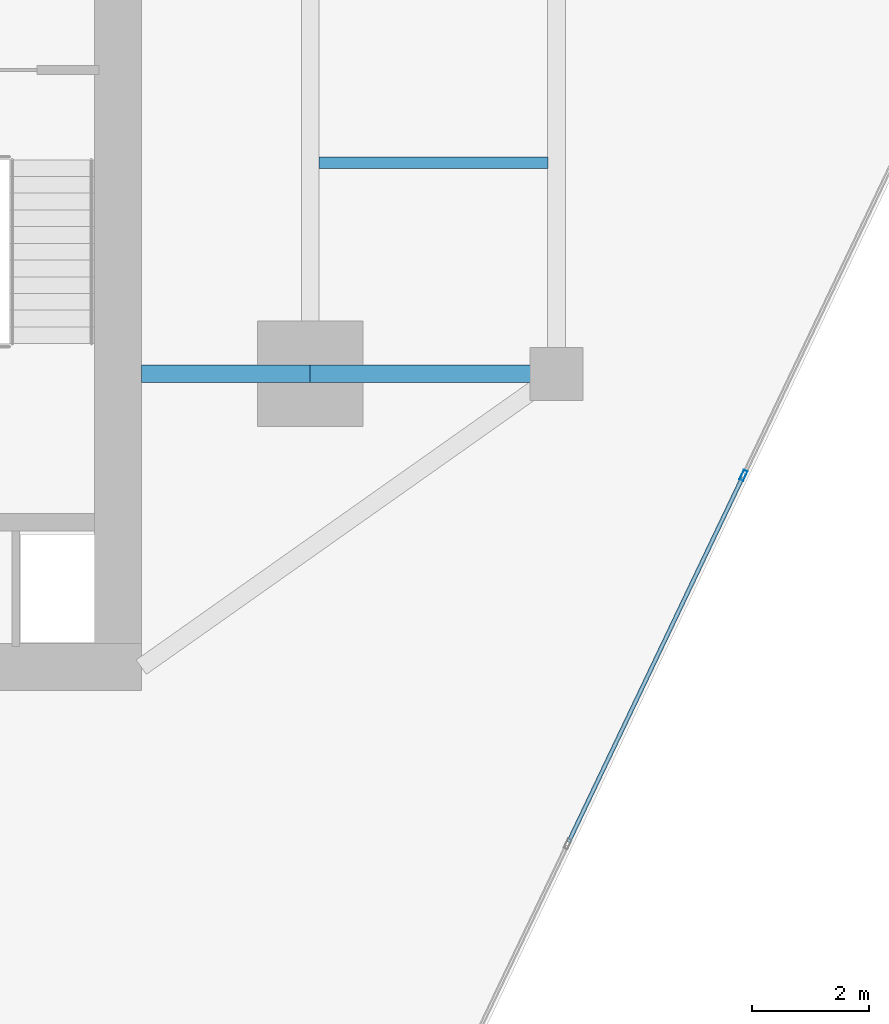
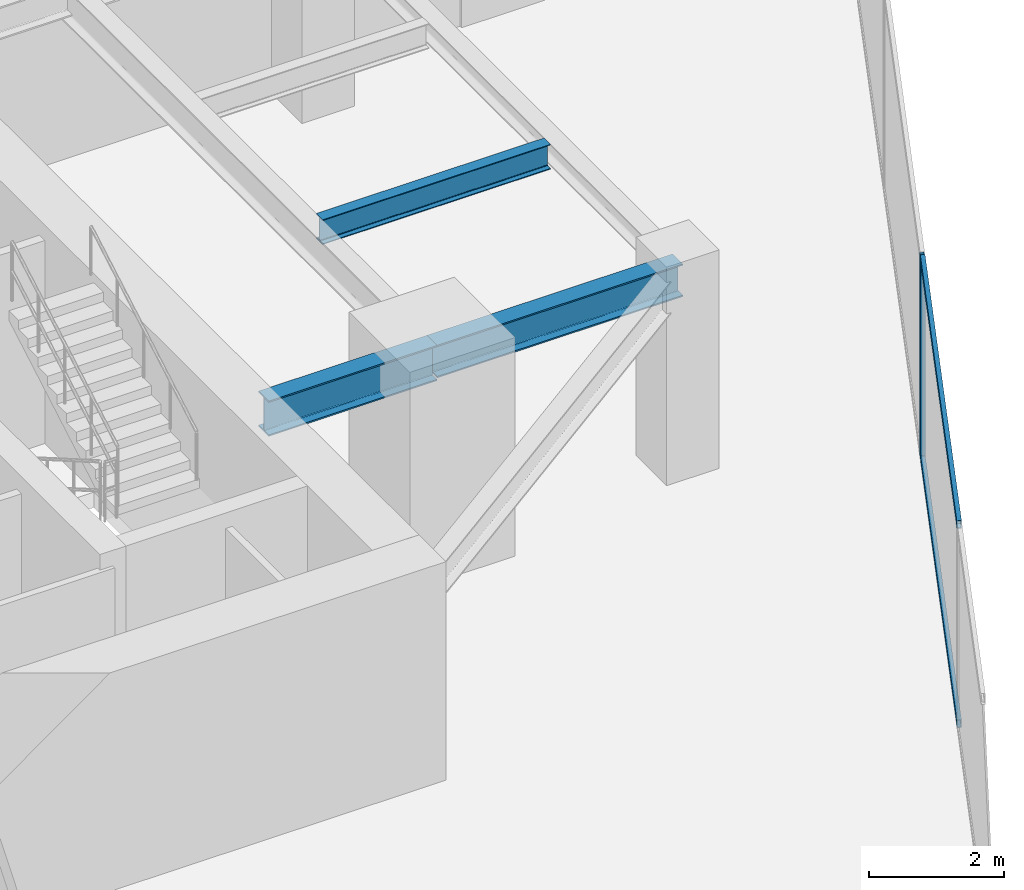
# One storey, part 10 of 25: 3 beams, 3 members, 1 element without a shape of its own.
"""IFC4 building model written with IfcOpenShell, lengths in metres."""

from ifc_helpers import new_model, si_unit, direction, frame, origin, origin_2d, place, context, subcontext, project, spatial, hollow_rectangle, i_section, extrude, source, transform, mapped, material, material_profile, profile_set, type_object, type_shapes, element, aggregate, save


model = new_model("IFC4")

# Units and contexts
model_context = context("Model", 3, precision=1e-05, world=origin(), true_north=direction((0.0, 1.0)))
body_context = subcontext(model_context, "Body", "Model", "MODEL_VIEW")
ifc_project = project(units=[si_unit("LENGTHUNIT", "METRE"), si_unit("AREAUNIT", "SQUARE_METRE"), si_unit("VOLUMEUNIT", "CUBIC_METRE"), si_unit("PLANEANGLEUNIT", "RADIAN"), si_unit("MASSUNIT", "GRAM", prefix="KILO")], contexts=[model_context])

# Site, building, storey
site_placement = place(None, origin())
site = spatial("IfcSite", under=ifc_project, at=site_placement, CompositionType="ELEMENT")
building_placement = place(site_placement, origin())
building = spatial("IfcBuilding", under=site, at=building_placement, Name="Krantzveldt Concourse Tower", CompositionType="ELEMENT")
storey_placement = place(building_placement, frame((0.0, 0.0, 146.199951171875)))
storey = spatial("IfcBuildingStorey", under=building, at=storey_placement, Name="L35", CompositionType="ELEMENT", Elevation=146.199951171875)

# Beams
ifc_material_1 = material(Name="Steel S355JR", Category="steel")
ifc_material_profile_1 = material_profile(ifc_material_1, i_section(OverallWidth=0.300048828125, OverallDepth=0.590087890625, WebThickness=0.012939453125, FlangeThickness=0.02490234375, FilletRadius=0.027099609375, at=origin_2d()), Name="Steel S355JR", Category="steel")
ifc_profile_set_1 = profile_set([ifc_material_profile_1], Name="Steel S355JR - HEA 600")
beam_type_1 = type_object("IfcBeamType", Name="BM-B-HEA600", PredefinedType="BEAM", material=ifc_profile_set_1)
shared_shape_1 = source(origin(), body_context, "Body", "SweptSolid", [
    extrude(i_section(OverallWidth=0.300048828125, OverallDepth=0.590087890625, WebThickness=0.012939453125, FlangeThickness=0.02490234375, FilletRadius=0.027099609375, at=origin_2d()), origin(), (0.0, 0.0, 1.0), 4.199951171875),
])
type_shapes(beam_type_1, [shared_shape_1])
beam_1_placement = place(storey_placement, frame((46.800048828125, 15.89990234375, 3.375), z_axis=(1.0, 0.0, 0.0), x_axis=(0.0, 1.0, 0.0)))
element("IfcBeam", 1, at=beam_1_placement, inside=storey, type_object=beam_type_1, Name="L35 Tower Girder BR-RR1", PredefinedType="BEAM", context=body_context, shape_type="MappedRepresentation", body=[
    mapped(shared_shape_1, transform((0.0, 0.0, 0.0), x_axis=(1.0, 0.0, 0.0), y_axis=(0.0, 1.0, 0.0), z_axis=(0.0, 0.0, 1.0), scale=1.0)),
])
ifc_material_profile_2 = material_profile(ifc_material_1, i_section(OverallWidth=0.300048828125, OverallDepth=0.639892578125, WebThickness=0.013427734375, FlangeThickness=0.02587890625, FilletRadius=0.027099609375, at=origin_2d()), Name="Steel S355JR", Category="steel")
ifc_profile_set_2 = profile_set([ifc_material_profile_2], Name="Steel S355JR - HEA 650")
beam_type_2 = type_object("IfcBeamType", Name="BM-B-HEA650", PredefinedType="BEAM", material=ifc_profile_set_2)
shared_shape_2 = source(origin(), body_context, "Body", "SweptSolid", [
    extrude(i_section(OverallWidth=0.300048828125, OverallDepth=0.639892578125, WebThickness=0.013427734375, FlangeThickness=0.02587890625, FilletRadius=0.027099609375, at=origin_2d()), origin(), (0.0, 0.0, 1.0), 2.880126953125),
])
type_shapes(beam_type_2, [shared_shape_2])
beam_2_placement = place(storey_placement, frame((43.919921875, 15.89990234375, 3.35009765625), z_axis=(1.0, 0.0, 0.0), x_axis=(0.0, 1.0, 0.0)))
element("IfcBeam", 2, at=beam_2_placement, inside=storey, type_object=beam_type_2, Name="L35 Tower Girder BG-CE1", PredefinedType="BEAM", context=body_context, shape_type="MappedRepresentation", body=[
    mapped(shared_shape_2, transform((0.0, 0.0, 0.0), x_axis=(1.0, 0.0, 0.0), y_axis=(0.0, 1.0, 0.0), z_axis=(0.0, 0.0, 1.0), scale=1.0)),
])
ifc_material_profile_3 = material_profile(ifc_material_1, i_section(OverallWidth=0.18994140625, OverallDepth=0.449951171875, WebThickness=0.009521484375, FlangeThickness=0.0146484375, FilletRadius=0.02099609375, at=origin_2d()), Name="Steel S355JR", Category="steel")
ifc_profile_set_3 = profile_set([ifc_material_profile_3], Name="Steel S355JR - IPE 450")
beam_type_3 = type_object("IfcBeamType", Name="BM-J-IPE450", PredefinedType="JOIST", material=ifc_profile_set_3)
shared_shape_3 = source(origin(), body_context, "Body", "SweptSolid", [
    extrude(i_section(OverallWidth=0.18994140625, OverallDepth=0.449951171875, WebThickness=0.009521484375, FlangeThickness=0.0146484375, FilletRadius=0.02099609375, at=origin_2d()), origin(), (0.0, 0.0, 1.0), 3.900146484375),
])
type_shapes(beam_type_3, [shared_shape_3])
beam_3_placement = place(storey_placement, frame((46.949951171875, 19.5, 3.445068359375), z_axis=(1.0, 0.0, 0.0), x_axis=(0.0, 1.0, 0.0)))
element("IfcBeam", 3, at=beam_3_placement, inside=storey, type_object=beam_type_3, Name="L35 Secondary Floor Joist JE-1", PredefinedType="JOIST", context=body_context, shape_type="MappedRepresentation", body=[
    mapped(shared_shape_3, transform((0.0, 0.0, 0.0), x_axis=(1.0, 0.0, 0.0), y_axis=(0.0, 1.0, 0.0), z_axis=(0.0, 0.0, 1.0), scale=1.0)),
])

# Curtain wall, members
ifc_material_2 = material(Name="Anodised aluminium 6063-T6", Category="aluminium")
curtain_wall_type = type_object("IfcCurtainWallType", Name="CW3", PredefinedType="USERDEFINED", material=ifc_material_2)
curtain_wall_placement = place(storey_placement, origin())
curtain_wall = element("IfcCurtainWall", 4, at=curtain_wall_placement, inside=storey, type_object=curtain_wall_type, Name="CW-L35-F07", ObjectType="UNITISED CURTAIN WALL", PredefinedType="USERDEFINED")
ifc_material_profile_4 = material_profile(ifc_material_2, hollow_rectangle(XDim=0.070068359375, YDim=0.179931640625, WallThickness=0.0048828125, at=origin_2d()), Name="Anodised aluminium 6063-T6", Category="aluminium")
ifc_profile_set_4 = profile_set([ifc_material_profile_4], Name="Anodised aluminium 6063-T6 - ALU-MULL 180x70x5")
member_type_1 = type_object("IfcMemberType", Name="CW-MUL-180", PredefinedType="MULLION", material=ifc_profile_set_4)
shared_shape_4 = source(origin(), body_context, "Body", "SweptSolid", [
    extrude(hollow_rectangle(XDim=0.070068359375, YDim=0.179931640625, WallThickness=0.0048828125, at=origin_2d()), origin(), (0.0, 0.0, 1.0), 3.670166015625),
])
type_shapes(member_type_1, [shared_shape_4])
member_1_placement = place(storey_placement, frame((54.187255859375, 14.169677734375, 0.0), z_axis=(0.0, 0.0, 1.0), x_axis=(-0.902585252784, 0.430511162987, 0.0)))
member_1 = element("IfcMember", 5, at=member_1_placement, type_object=member_type_1, Name="CW-Z34 mullion 3", PredefinedType="MULLION", context=body_context, shape_type="MappedRepresentation", body=[
    mapped(shared_shape_4, transform((0.0, 0.0, 0.0), x_axis=(1.0, 0.0, 0.0), y_axis=(0.0, 1.0, 0.0), z_axis=(0.0, 0.0, 1.0), scale=1.0)),
])
ifc_material_profile_5 = material_profile(ifc_material_2, hollow_rectangle(XDim=0.070068359375, YDim=0.139892578125, WallThickness=0.0048828125, at=origin_2d()), Name="Anodised aluminium 6063-T6", Category="aluminium")
ifc_profile_set_5 = profile_set([ifc_material_profile_5], Name="Anodised aluminium 6063-T6 - ALU-TRAN 140x70x5")
member_type_2 = type_object("IfcMemberType", Name="CW-TRN-150", PredefinedType="USERDEFINED", material=ifc_profile_set_5)
shared_shape_5 = source(origin(), body_context, "Body", "SweptSolid", [
    extrude(hollow_rectangle(XDim=0.070068359375, YDim=0.139892578125, WallThickness=0.0048828125, at=origin_2d()), origin(), (0.0, 0.0, 1.0), 6.889892578125),
])
type_shapes(member_type_2, [shared_shape_5])
member_2_placement = place(storey_placement, frame((51.205810546875, 7.919189453125, 0.03515625), z_axis=(0.430524930623, 0.902578685829, 0.0), x_axis=(-0.902578685829, 0.430524930623, 0.0)))
member_2 = element("IfcMember", 6, at=member_2_placement, type_object=member_type_2, Name="CW-Z34 transom 2.1", ObjectType="TRANSOM", PredefinedType="USERDEFINED", context=body_context, shape_type="MappedRepresentation", body=[
    mapped(shared_shape_5, transform((0.0, 0.0, 0.0), x_axis=(1.0, 0.0, 0.0), y_axis=(0.0, 1.0, 0.0), z_axis=(0.0, 0.0, 1.0), scale=1.0)),
])
member_3_placement = place(storey_placement, frame((51.205810546875, 7.919189453125, 3.635009765625), z_axis=(0.430524930623, 0.902578685829, 0.0), x_axis=(-0.902578685829, 0.430524930623, 0.0)))
member_3 = element("IfcMember", 7, at=member_3_placement, type_object=member_type_2, Name="CW-Z34 transom 2.2", ObjectType="TRANSOM", PredefinedType="USERDEFINED", context=body_context, shape_type="MappedRepresentation", body=[
    mapped(shared_shape_5, transform((0.0, 0.0, 0.0), x_axis=(1.0, 0.0, 0.0), y_axis=(0.0, 1.0, 0.0), z_axis=(0.0, 0.0, 1.0), scale=1.0)),
])
aggregate(curtain_wall, [member_1, member_2, member_3])

save(model, "model.ifc")
